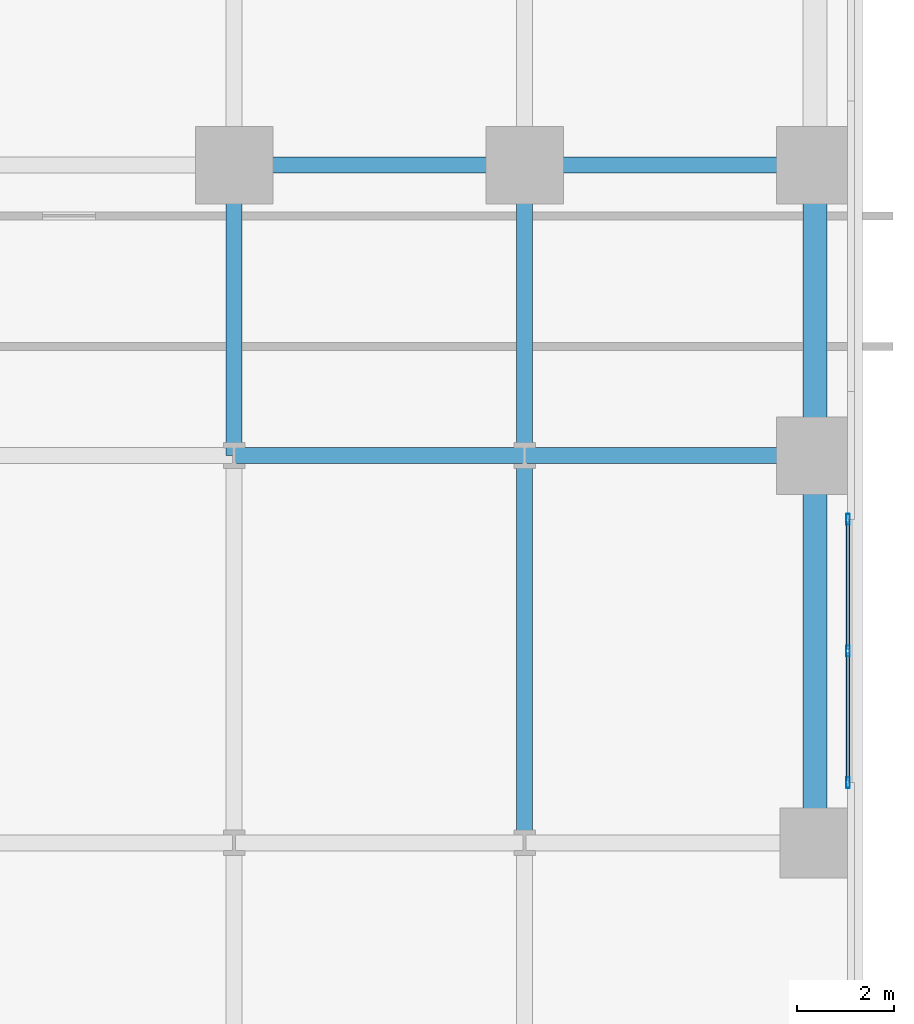
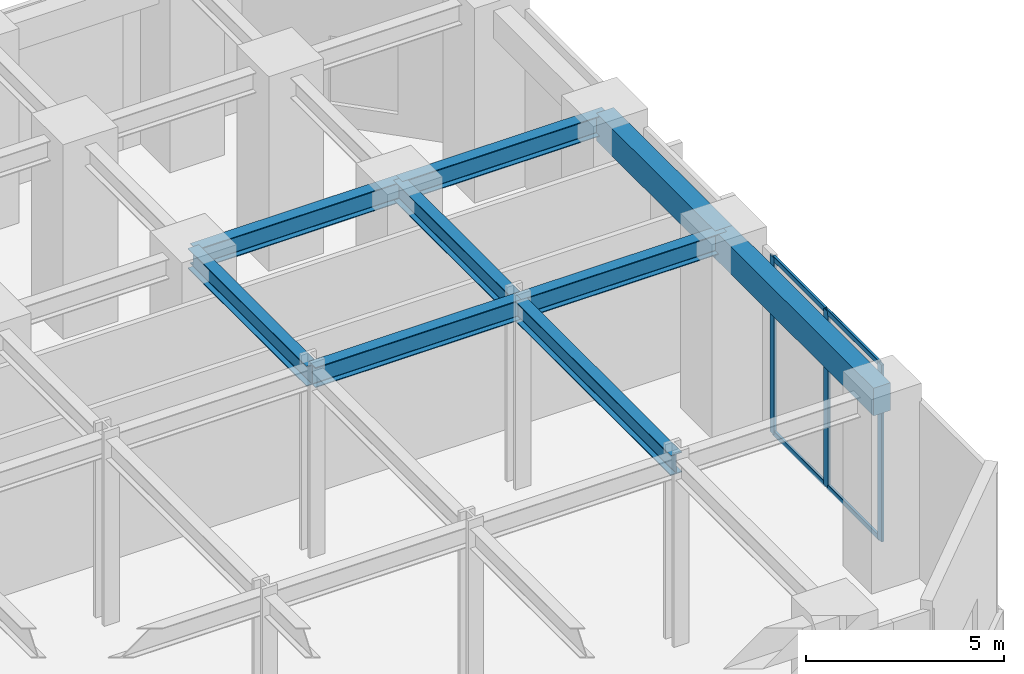
# One storey, part 22 of 34: 9 beams, 7 members, 1 element without a shape of its own.
"""IFC4 building model written with IfcOpenShell, lengths in metres."""

from ifc_helpers import new_model, si_unit, direction, frame, origin, origin_2d, place, context, subcontext, project, spatial, rectangle, hollow_rectangle, i_section, extrude, source, transform, mapped, material, material_profile, profile_set, type_object, element, aggregate, save


model = new_model("IFC4")

# Units and contexts
model_context = context("Model", 3, precision=1e-05, world=origin(), true_north=direction((0.0, 1.0)))
body_context = subcontext(model_context, "Body", "Model", "MODEL_VIEW")
ifc_project = project(units=[si_unit("LENGTHUNIT", "METRE"), si_unit("AREAUNIT", "SQUARE_METRE"), si_unit("VOLUMEUNIT", "CUBIC_METRE"), si_unit("PLANEANGLEUNIT", "RADIAN"), si_unit("MASSUNIT", "GRAM", prefix="KILO")], contexts=[model_context])

# Site, building, storey
site_placement = place(None, origin())
site = spatial("IfcSite", under=ifc_project, at=site_placement, CompositionType="ELEMENT")
building_placement = place(site_placement, origin())
building = spatial("IfcBuilding", under=site, at=building_placement, Name="Torre Montelarca", CompositionType="ELEMENT")
storey_placement = place(building_placement, frame((0.0, 0.0, 6.0)))
storey = spatial("IfcBuildingStorey", under=building, at=storey_placement, Name="L02", CompositionType="ELEMENT", Elevation=6.0)

# Beams
ifc_material_1 = material(Name="Concrete C55/67", Category="concrete")
ifc_material_profile_1 = material_profile(ifc_material_1, rectangle(XDim=0.5, YDim=0.85009765625, at=origin_2d()), Name="RCB500X850", Category="concrete")
ifc_profile_set_1 = profile_set([ifc_material_profile_1], Name="Concrete C55/67")
beam_type_1 = type_object("IfcBeamType", Name="BM-SP-RC850-EXT", PredefinedType="SPANDREL", material=ifc_profile_set_1)
shared_shape_1 = source(origin(), body_context, "Body", "SweptSolid", [
    extrude(rectangle(XDim=0.5, YDim=0.85009765625, at=origin_2d()), origin(), (0.0, 0.0, 1.0), 6.0),
])
beam_1_placement = place(storey_placement, frame((78.0, 40.0, 5.31494140625), z_axis=(0.0, 1.0, 0.0), x_axis=(-1.0, 0.0, 0.0)))
element("IfcBeam", 1, at=beam_1_placement, inside=storey, type_object=beam_type_1, Name="L02 Grid Girder Y 40.0-46.0 at X=78.0", PredefinedType="SPANDREL", context=body_context, shape_type="MappedRepresentation", body=[
    mapped(shared_shape_1, transform((0.0, 0.0, 0.0), scale=1.0)),
])
ifc_material_2 = material(Name="Steel ASTM A992 Grade 50", Category="steel")
ifc_material_profile_2 = material_profile(ifc_material_2, i_section(OverallWidth=0.326904296875, OverallDepth=0.6220703125, WebThickness=0.015380859375, FlangeThickness=0.0244140625, FilletRadius=0.014892578125, at=origin_2d()), Name="W610X195", Category="steel")
ifc_profile_set_2 = profile_set([ifc_material_profile_2], Name="Steel ASTM A992 Grade 50")
beam_type_2 = type_object("IfcBeamType", Name="BM-G-W610H", PredefinedType="BEAM", material=ifc_profile_set_2)
shared_shape_2 = source(origin(), body_context, "Body", "SweptSolid", [
    extrude(i_section(OverallWidth=0.326904296875, OverallDepth=0.6220703125, WebThickness=0.015380859375, FlangeThickness=0.0244140625, FilletRadius=0.014892578125, at=origin_2d()), origin(), (0.0, 0.0, 1.0), 6.0),
])
for number, where, z_axis, x_axis, name in (
    (2, (66.0, 40.0, 5.428955078125), (1.0, 0.0, 0.0), (0.0, 1.0, 0.0), "L02 Grid Girder X 66.0-72.0 at Y=40.0"),
    (3, (72.0, 40.0, 5.428955078125), (1.0, 0.0, 0.0), (0.0, 1.0, 0.0), "L02 Grid Girder X 72.0-78.0 at Y=40.0"),
    (4, (66.0, 46.0, 5.428955078125), (1.0, 0.0, 0.0), (0.0, 1.0, 0.0), "L02 Grid Girder X 66.0-72.0 at Y=46.0"),
    (5, (72.0, 46.0, 5.428955078125), (1.0, 0.0, 0.0), (0.0, 1.0, 0.0), "L02 Grid Girder X 72.0-78.0 at Y=46.0"),
    (6, (66.0, 40.0, 5.428955078125), (0.0, 1.0, 0.0), (-1.0, 0.0, 0.0), "L02 Grid Girder Y 40.0-46.0 at X=66.0"),
    (7, (72.0, 40.0, 5.428955078125), (0.0, 1.0, 0.0), (-1.0, 0.0, 0.0), "L02 Grid Girder Y 40.0-46.0 at X=72.0"),
):
    element("IfcBeam", number, at=place(storey_placement, frame(where, z_axis=z_axis, x_axis=x_axis)), inside=storey, type_object=beam_type_2, Name=name, PredefinedType="BEAM", context=body_context, shape_type="MappedRepresentation", body=[
        mapped(shared_shape_2, transform((0.0, 0.0, 0.0), scale=1.0)),
    ])
shared_shape_3 = source(origin(), body_context, "Body", "SweptSolid", [
    extrude(rectangle(XDim=0.5, YDim=0.85009765625, at=origin_2d()), origin(), (0.0, 0.0, 1.0), 8.0),
])
beam_2_placement = place(storey_placement, frame((78.0, 32.0, 5.31494140625), z_axis=(0.0, 1.0, 0.0), x_axis=(-1.0, 0.0, 0.0)))
element("IfcBeam", 8, at=beam_2_placement, inside=storey, type_object=beam_type_1, Name="L02 Grid Girder Y 32.0-40.0 at X=78.0", PredefinedType="SPANDREL", context=body_context, shape_type="MappedRepresentation", body=[
    mapped(shared_shape_3, transform((0.0, 0.0, 0.0), scale=1.0)),
])
shared_shape_4 = source(origin(), body_context, "Body", "SweptSolid", [
    extrude(i_section(OverallWidth=0.326904296875, OverallDepth=0.6220703125, WebThickness=0.015380859375, FlangeThickness=0.0244140625, FilletRadius=0.014892578125, at=origin_2d()), origin(), (0.0, 0.0, 1.0), 8.0),
])
beam_3_placement = place(storey_placement, frame((72.0, 32.0, 5.428955078125), z_axis=(0.0, 1.0, 0.0), x_axis=(-1.0, 0.0, 0.0)))
element("IfcBeam", 9, at=beam_3_placement, inside=storey, type_object=beam_type_2, Name="L02 Grid Girder Y 32.0-40.0 at X=72.0", PredefinedType="BEAM", context=body_context, shape_type="MappedRepresentation", body=[
    mapped(shared_shape_4, transform((0.0, 0.0, 0.0), scale=1.0)),
])

# Curtain wall, members
ifc_material_3 = material(Name="Insulated low-E laminated glass", Category="glass")
curtain_wall_type = type_object("IfcCurtainWallType", Name="CW-SYS-POD2", PredefinedType="USERDEFINED", material=ifc_material_3)
curtain_wall_placement = place(storey_placement, origin())
curtain_wall = element("IfcCurtainWall", 10, at=curtain_wall_placement, inside=storey, type_object=curtain_wall_type, Name="L02 Curtain Wall Run CW-T3-L02-E06-B1", ObjectType="UNITISED GLAZING", PredefinedType="USERDEFINED")
ifc_material_4 = material(Name="Anodised aluminium AA 6063-T6", Category="aluminium")
ifc_material_profile_3 = material_profile(ifc_material_4, hollow_rectangle(XDim=0.074951171875, YDim=0.219970703125, WallThickness=0.0048828125, InnerFilletRadius=0.0048828125, OuterFilletRadius=0.010009765625, at=origin_2d()), Name="ALU75X220X5", Category="aluminium")
ifc_profile_set_3 = profile_set([ifc_material_profile_3], Name="Anodised aluminium AA 6063-T6")
member_type_1 = type_object("IfcMemberType", Name="CWM-ALU220", PredefinedType="MULLION", material=ifc_profile_set_3)
shared_shape_5 = source(origin(), body_context, "Body", "SweptSolid", [
    extrude(hollow_rectangle(XDim=0.074951171875, YDim=0.219970703125, WallThickness=0.0048828125, InnerFilletRadius=0.0048828125, OuterFilletRadius=0.010009765625, at=origin_2d()), origin(), (0.0, 0.0, 1.0), 5.449951171875),
])
member_1_placement = place(storey_placement, frame((78.679931640625, 33.242431640625, 0.0), z_axis=(0.0, 0.0, 1.0), x_axis=(-1.0, 0.0, 0.0)))
member_1 = element("IfcMember", 11, at=member_1_placement, type_object=member_type_1, Name="CW mullion 1", PredefinedType="MULLION", context=body_context, shape_type="MappedRepresentation", body=[
    mapped(shared_shape_5, transform((0.0, 0.0, 0.0), scale=1.0)),
])
member_2_placement = place(storey_placement, frame((78.679931640625, 35.96240234375, 0.0), z_axis=(0.0, 0.0, 1.0), x_axis=(-1.0, 0.0, 0.0)))
member_2 = element("IfcMember", 12, at=member_2_placement, type_object=member_type_1, Name="CW mullion 2", PredefinedType="MULLION", context=body_context, shape_type="MappedRepresentation", body=[
    mapped(shared_shape_5, transform((0.0, 0.0, 0.0), scale=1.0)),
])
member_3_placement = place(storey_placement, frame((78.679931640625, 38.6826171875, 0.0), z_axis=(0.0, 0.0, 1.0), x_axis=(-1.0, 0.0, 0.0)))
member_3 = element("IfcMember", 13, at=member_3_placement, type_object=member_type_1, Name="CW mullion 3", PredefinedType="MULLION", context=body_context, shape_type="MappedRepresentation", body=[
    mapped(shared_shape_5, transform((0.0, 0.0, 0.0), scale=1.0)),
])
ifc_material_profile_4 = material_profile(ifc_material_4, hollow_rectangle(XDim=0.074951171875, YDim=0.159912109375, WallThickness=0.0048828125, InnerFilletRadius=0.0048828125, OuterFilletRadius=0.010009765625, at=origin_2d()), Name="ALU75X160X5", Category="aluminium")
ifc_profile_set_4 = profile_set([ifc_material_profile_4], Name="Anodised aluminium AA 6063-T6")
member_type_2 = type_object("IfcMemberType", Name="CWT-ALU160", PredefinedType="USERDEFINED", material=ifc_profile_set_4)
shared_shape_6 = source(origin(), body_context, "Body", "SweptSolid", [
    extrude(hollow_rectangle(XDim=0.074951171875, YDim=0.159912109375, WallThickness=0.0048828125, InnerFilletRadius=0.0048828125, OuterFilletRadius=0.010009765625, at=origin_2d()), origin(), (0.0, 0.0, 1.0), 2.64501953125),
])
member_4_placement = place(storey_placement, frame((78.679931640625, 33.280029296875, 0.03759765625), z_axis=(0.0, 1.0, 0.0), x_axis=(-1.0, 0.0, 0.0)))
member_4 = element("IfcMember", 14, at=member_4_placement, type_object=member_type_2, Name="CW transom 1.1", ObjectType="TRANSOM", PredefinedType="USERDEFINED", context=body_context, shape_type="MappedRepresentation", body=[
    mapped(shared_shape_6, transform((0.0, 0.0, 0.0), scale=1.0)),
])
member_5_placement = place(storey_placement, frame((78.679931640625, 33.280029296875, 5.41259765625), z_axis=(0.0, 1.0, 0.0), x_axis=(-1.0, 0.0, 0.0)))
member_5 = element("IfcMember", 15, at=member_5_placement, type_object=member_type_2, Name="CW transom 1.2", ObjectType="TRANSOM", PredefinedType="USERDEFINED", context=body_context, shape_type="MappedRepresentation", body=[
    mapped(shared_shape_6, transform((0.0, 0.0, 0.0), scale=1.0)),
])
member_6_placement = place(storey_placement, frame((78.679931640625, 36.0, 0.03759765625), z_axis=(0.0, 1.0, 0.0), x_axis=(-1.0, 0.0, 0.0)))
member_6 = element("IfcMember", 16, at=member_6_placement, type_object=member_type_2, Name="CW transom 2.1", ObjectType="TRANSOM", PredefinedType="USERDEFINED", context=body_context, shape_type="MappedRepresentation", body=[
    mapped(shared_shape_6, transform((0.0, 0.0, 0.0), scale=1.0)),
])
member_7_placement = place(storey_placement, frame((78.679931640625, 36.0, 5.41259765625), z_axis=(0.0, 1.0, 0.0), x_axis=(-1.0, 0.0, 0.0)))
member_7 = element("IfcMember", 17, at=member_7_placement, type_object=member_type_2, Name="CW transom 2.2", ObjectType="TRANSOM", PredefinedType="USERDEFINED", context=body_context, shape_type="MappedRepresentation", body=[
    mapped(shared_shape_6, transform((0.0, 0.0, 0.0), scale=1.0)),
])
aggregate(curtain_wall, [member_1, member_2, member_3, member_4, member_5, member_6, member_7])

save(model, "model.ifc")
